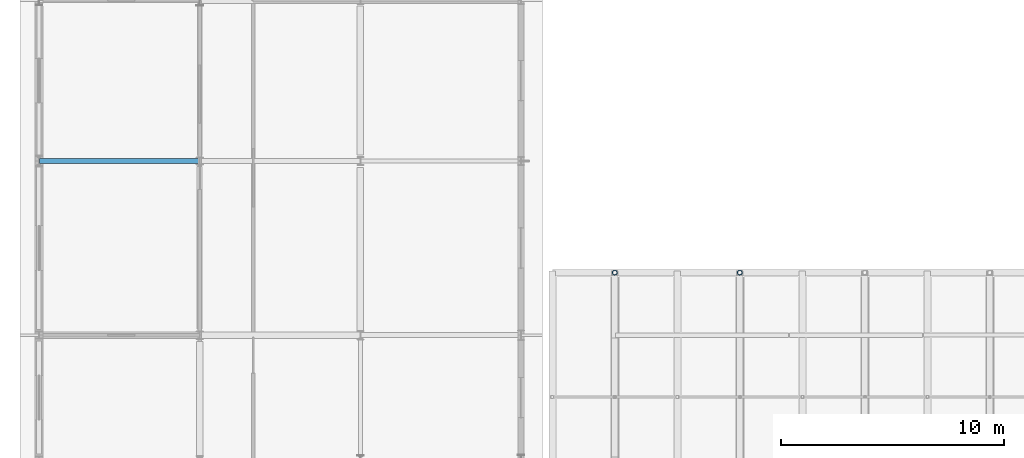
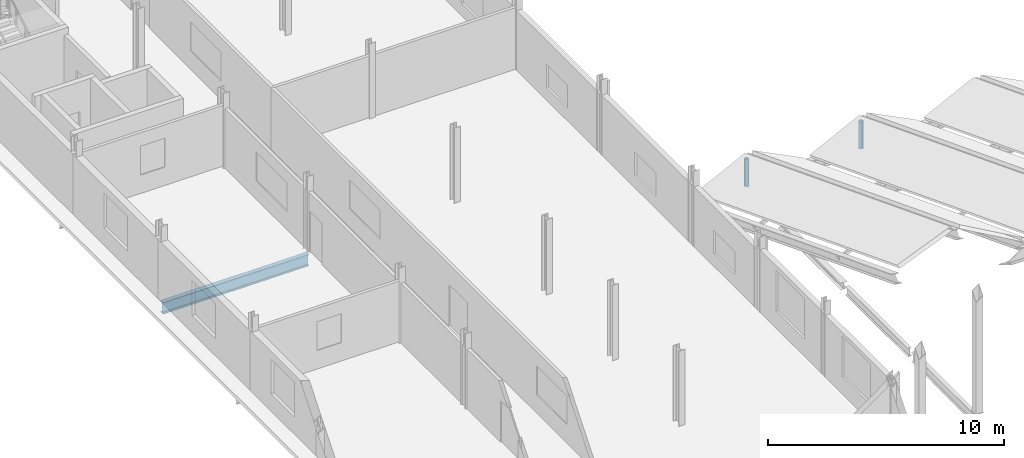
# One storey, part 19 of 49: 2 members, 1 beam.
"""IFC4 building model written with IfcOpenShell, lengths in metres."""

import ifcopenshell
import ifcopenshell.guid

model = None  # the IFC model being written
_history = None  # IfcOwnerHistory: only IFC2X3 demands one
_inside = {}  # id of a spatial element -> (the spatial element, [elements in it])
_under = {}  # id of a project, library or spatial element -> (it, [spatial elements below it])
_declared = {}  # id of a project -> (the project, [libraries it declares])
_typed = {}  # id of a type object -> (the type object, [elements of that type])
_made_of = {}  # id of a material, layer set ... -> (it, [elements and type objects made of it])


def new_model(schema):
    """Start an empty IFC model of exactly this schema.

    Asked for "IFC4X3", IfcOpenShell would pick the latest addendum, in which some entities
    have other attributes; the version numbers below select the first issue.
    IFC2X3 requires an IfcOwnerHistory on every rooted entity: one is made here for all.
    """
    global model, _history
    if schema == "IFC4X3":
        model = ifcopenshell.file(schema_version=(4, 3, 0, 0))
    else:
        model = ifcopenshell.file(schema=schema)
    _inside.clear()
    _under.clear()
    _declared.clear()
    _typed.clear()
    _made_of.clear()
    _history = None
    if model.schema == "IFC2X3":
        org = make("IfcOrganization", Name="unknown")
        user = make(
            "IfcPersonAndOrganization",
            ThePerson=make("IfcPerson", FamilyName="unknown"),
            TheOrganization=org,
        )
        app = make(
            "IfcApplication",
            ApplicationDeveloper=org,
            Version="unknown",
            ApplicationFullName="unknown",
            ApplicationIdentifier="unknown",
        )
        _history = make(
            "IfcOwnerHistory",
            OwningUser=user,
            OwningApplication=app,
            ChangeAction="ADDED",
            CreationDate=0,
        )
    return model


def make(cls, **values):
    """One entity of the class cls with the attributes given. An attribute that is None is left unset."""
    return model.create_entity(
        cls, **{name: value for name, value in values.items() if value is not None}
    )


def rooted(cls, **values):
    """An entity with a GlobalId (a new one), such as an element, a storey or a relation."""
    return make(cls, GlobalId=ifcopenshell.guid.new(), OwnerHistory=_history, **values)


def si_unit(unit_type, name, prefix=None):
    """IfcSIUnit, for example si_unit("LENGTHUNIT", "METRE", prefix="MILLI")."""
    return make("IfcSIUnit", UnitType=unit_type, Prefix=prefix, Name=name)


def assignment(units):
    """IfcUnitAssignment: the units of a project."""
    return None if units is None else make("IfcUnitAssignment", Units=units)


def point(xyz):
    """IfcCartesianPoint."""
    return None if xyz is None else make("IfcCartesianPoint", Coordinates=xyz)


def direction(xyz):
    """IfcDirection."""
    return None if xyz is None else make("IfcDirection", DirectionRatios=xyz)


def frame(location, z_axis=None, x_axis=None):
    """IfcAxis2Placement3D, a coordinate frame: its origin and axes. An axis left out is left unset."""
    return make(
        "IfcAxis2Placement3D",
        Location=point(location),
        Axis=direction(z_axis),
        RefDirection=direction(x_axis),
    )


def frame_2d(location, x_axis=None):
    """IfcAxis2Placement2D, a coordinate frame in the plane: its origin and x axis."""
    return make(
        "IfcAxis2Placement2D", Location=point(location), RefDirection=direction(x_axis)
    )


def origin():
    """The frame at (0, 0, 0) with its axes left unset."""
    return frame((0.0, 0.0, 0.0))


def origin_2d():
    """The frame at (0, 0) in the plane with its x axis left unset."""
    return frame_2d((0.0, 0.0))


def place(relative_to, where):
    """IfcLocalPlacement: puts the frame where relative to a parent placement (None: the world)."""
    return make(
        "IfcLocalPlacement", PlacementRelTo=relative_to, RelativePlacement=where
    )


def context(
    kind, dimensions, precision=None, world=None, true_north=None, identifier=None
):
    """IfcGeometricRepresentationContext, for example the 3D "Model" context."""
    return make(
        "IfcGeometricRepresentationContext",
        ContextIdentifier=identifier,
        ContextType=kind,
        CoordinateSpaceDimension=dimensions,
        Precision=precision,
        WorldCoordinateSystem=world,
        TrueNorth=true_north,
    )


def subcontext(parent, identifier, kind, view, scale=None):
    """IfcGeometricRepresentationSubContext, for example "Body" below "Model"."""
    return make(
        "IfcGeometricRepresentationSubContext",
        ContextIdentifier=identifier,
        ContextType=kind,
        ParentContext=parent,
        TargetScale=scale,
        TargetView=view,
    )


def project(units=None, contexts=None):
    """IfcProject with its units and contexts."""
    return rooted(
        "IfcProject",
        Name="project",
        RepresentationContexts=contexts,
        UnitsInContext=assignment(units),
    )


def spatial(cls, under=None, at=None, **own):
    """A site, building, storey or space (cls), placed at a placement, below another one or the project."""
    s = rooted(cls, ObjectPlacement=at, **own)
    if under is not None:
        _under.setdefault(under.id(), (under, []))[1].append(s)
    return s


def profile(cls, at=None, kind="AREA", **sizes):
    """A parametric profile (cls). Its sizes go by their IFC names, for example OverallWidth=200.0."""
    return make(cls, ProfileType=kind, Position=at, **sizes)


def hollow_circle(**sizes):
    """IfcCircleHollowProfileDef."""
    return profile("IfcCircleHollowProfileDef", **sizes)


def i_section(**sizes):
    """IfcIShapeProfileDef."""
    return profile("IfcIShapeProfileDef", **sizes)


def extrude(swept, where, along, depth):
    """IfcExtrudedAreaSolid: the profile swept, set in the frame where, extruded along a direction by depth."""
    return make(
        "IfcExtrudedAreaSolid",
        SweptArea=swept,
        Position=where,
        ExtrudedDirection=direction(along),
        Depth=depth,
    )


def shape(context_of_items, identifier, shape_type, items):
    """IfcShapeRepresentation: the items that make up one representation, for example the "Body"."""
    return make(
        "IfcShapeRepresentation",
        ContextOfItems=context_of_items,
        RepresentationIdentifier=identifier,
        RepresentationType=shape_type,
        Items=items,
    )


def material(Name=None, Category=None):
    """IfcMaterial."""
    return make("IfcMaterial", Name=Name, Category=Category)


def material_profile(
    of_material, cross_section, Name=None, Category=None, Priority=None
):
    """IfcMaterialProfile: a cross section and its material."""
    return make(
        "IfcMaterialProfile",
        Name=Name,
        Material=of_material,
        Profile=cross_section,
        Priority=Priority,
        Category=Category,
    )


def profile_set(profiles, Name=None, composite=None):
    """IfcMaterialProfileSet."""
    return make(
        "IfcMaterialProfileSet",
        Name=Name,
        MaterialProfiles=profiles,
        CompositeProfile=composite,
    )


def made_of(thing, what):
    """Note that an element or type object is made of a material, layer set ...; save() writes the relation."""
    if what is not None:
        _made_of.setdefault(what.id(), (what, []))[1].append(thing)
    return thing


def type_object(cls, material=None, **own):
    """A type object (cls), such as IfcWallType, which elements share."""
    return made_of(rooted(cls, **own), material)


def element(
    cls,
    number,
    at=None,
    inside=None,
    cuts=None,
    type_object=None,
    material=None,
    context=None,
    identifier="Body",
    shape_type=None,
    held_by="IfcProductDefinitionShape",
    body=None,
    shapes=None,
    **own,
):
    """One element of the class cls, such as IfcWall. Its Tag is "e" and its number.

    at: its placement. inside: the storey or other place that contains it. cuts: it is an
    opening in that element (IfcRelVoidsElement). A single representation is given by context,
    identifier, shape_type and body (its items); several are given by shapes. held_by: the class
    of the entity that holds the representations. save() writes the other relations.
    """
    e = rooted(cls, Tag="e%d" % number, ObjectPlacement=at, **own)
    if body is not None:
        shapes = [shape(context, identifier, shape_type, body)]
    if shapes is not None:
        e.Representation = make(held_by, Representations=shapes)
    if inside is not None:
        _inside.setdefault(inside.id(), (inside, []))[1].append(e)
    if cuts is not None:
        rooted(
            "IfcRelVoidsElement", RelatingBuildingElement=cuts, RelatedOpeningElement=e
        )
    if type_object is not None:
        _typed.setdefault(type_object.id(), (type_object, []))[1].append(e)
    return made_of(e, material)


def aggregate(whole, parts):
    """IfcRelAggregates: a whole, such as a stair, and the parts it consists of."""
    return rooted("IfcRelAggregates", RelatingObject=whole, RelatedObjects=parts)


def save(model, path):
    """Write the relations noted so far, then the file.

    IfcRelAggregates (storeys below a building ...), IfcRelContainedInSpatialStructure (elements
    in a storey), IfcRelDefinesByType, IfcRelAssociatesMaterial and IfcRelDeclares: one each for
    every whole, place, type object, material and project.
    """
    for whole, parts in _under.values():
        aggregate(whole, parts)
    for where, things in _inside.values():
        rooted(
            "IfcRelContainedInSpatialStructure",
            RelatedElements=things,
            RelatingStructure=where,
        )
    for kind, things in _typed.values():
        rooted("IfcRelDefinesByType", RelatedObjects=things, RelatingType=kind)
    for what, things in _made_of.values():
        rooted("IfcRelAssociatesMaterial", RelatedObjects=things, RelatingMaterial=what)
    for by, libraries in _declared.values():
        rooted("IfcRelDeclares", RelatingContext=by, RelatedDefinitions=libraries)
    model.write(path)


model = new_model("IFC4")

# Units and contexts
model_context = context("Model", 3, precision=1e-05, world=origin(), true_north=direction((0.0, 1.0)))
body_context = subcontext(model_context, "Body", "Model", "MODEL_VIEW")
ifc_project = project(units=[si_unit("LENGTHUNIT", "METRE"), si_unit("AREAUNIT", "SQUARE_METRE"), si_unit("VOLUMEUNIT", "CUBIC_METRE"), si_unit("PLANEANGLEUNIT", "RADIAN"), si_unit("MASSUNIT", "GRAM", prefix="KILO")], contexts=[model_context])

# Site, building, storey
site_placement = place(None, origin())
site = spatial("IfcSite", under=ifc_project, at=site_placement, CompositionType="ELEMENT")
building_placement = place(site_placement, origin())
building = spatial("IfcBuilding", under=site, at=building_placement, Name="Vinh Khe Railworks Police Headquarters", CompositionType="ELEMENT")
storey_placement = place(building_placement, frame((0.0, 0.0, 17.10009765625)))
storey = spatial("IfcBuildingStorey", under=building, at=storey_placement, Name="L04", CompositionType="ELEMENT", Elevation=17.10009765625)

# Members
ifc_material = material(Name="Steel S355JR", Category="steel")
ifc_material_profile_1 = material_profile(ifc_material, hollow_circle(Radius=0.109619140625, WallThickness=0.012451171875, at=origin_2d()), Name="CHS 219.1x12.5")
ifc_profile_set_1 = profile_set([ifc_material_profile_1], Name="Steel S355JR")
member_type = type_object("IfcMemberType", Name="Roof Strut CHS 219.1x12.5", PredefinedType="STRUT", material=ifc_profile_set_1)
for number, where, z_axis, x_axis, name in (
    (1, (26.39990234375, 61.60009765625, -0.191162109375), (0.0, 0.0, 1.0), (1.0, 0.0, 0.0), "Folded Roof Strut 1N"),
    (2, (32.0, 61.60009765625, -0.191162109375), (0.0, 0.0, 1.0), (1.0, 0.0, 0.0), "Folded Roof Strut 2N"),
):
    element("IfcMember", number, at=place(storey_placement, frame(where, z_axis=z_axis, x_axis=x_axis)), inside=storey, type_object=member_type, Name=name, PredefinedType="STRUT", context=body_context, shape_type="SweptSolid", body=[
        extrude(hollow_circle(Radius=0.109619140625, WallThickness=0.012451171875, at=origin_2d()), origin(), (0.0, 0.0, 1.0), 1.39990234375),
    ])

# Beam
ifc_material_profile_2 = material_profile(ifc_material, i_section(OverallWidth=0.219970703125, OverallDepth=0.60009765625, WebThickness=0.011962890625, FlangeThickness=0.01904296875, FilletRadius=0.02392578125, at=origin_2d()), Name="IPE 600")
ifc_profile_set_2 = profile_set([ifc_material_profile_2], Name="Steel S355JR")
beam_type = type_object("IfcBeamType", Name="Steel Girder IPE 600", PredefinedType="BEAM", material=ifc_profile_set_2)
beam_placement = place(storey_placement, frame((0.6201171875, 66.60009765625, -0.5), z_axis=(1.0, 0.0, 0.0), x_axis=(0.0, 1.0, 0.0)))
element("IfcBeam", 3, at=beam_placement, inside=storey, type_object=beam_type, Name="Girder BM-L04-EW-SB-17-1317", PredefinedType="BEAM", context=body_context, shape_type="SweptSolid", body=[
    extrude(i_section(OverallWidth=0.219970703125, OverallDepth=0.60009765625, WebThickness=0.011962890625, FlangeThickness=0.01904296875, FilletRadius=0.02392578125, at=origin_2d()), origin(), (0.0, 0.0, 1.0), 7.159912109375),
])

save(model, "model.ifc")
